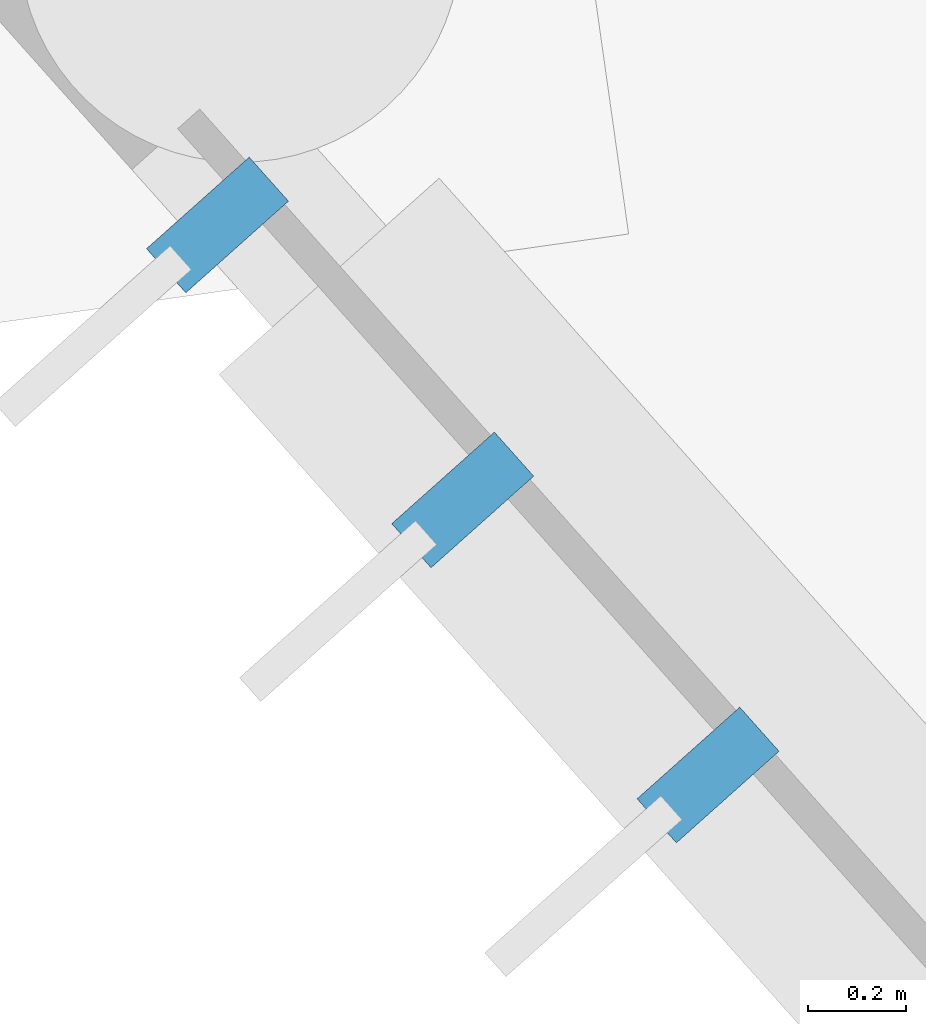
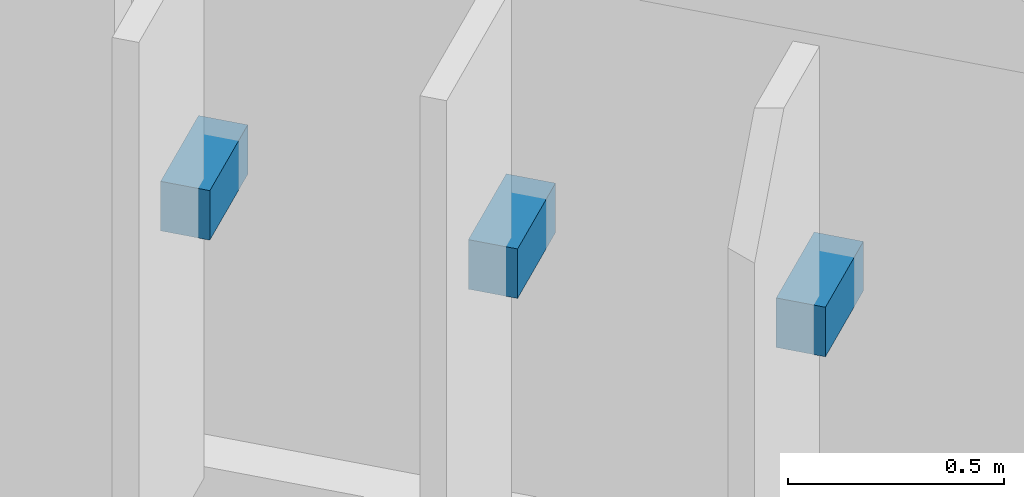
# One storey, part 101 of 140: 3 discrete accessories.
"""IFC4 building model written with IfcOpenShell, lengths in metres."""

from ifc_helpers import new_model, si_unit, direction, frame, origin, origin_2d, place, context, subcontext, project, spatial, rectangle, extrude, material, type_object, element, save


model = new_model("IFC4")

# Units and contexts
model_context = context("Model", 3, precision=1e-05, world=origin(), true_north=direction((0.0, 1.0)))
body_context = subcontext(model_context, "Body", "Model", "MODEL_VIEW")
ifc_project = project(units=[si_unit("LENGTHUNIT", "METRE"), si_unit("AREAUNIT", "SQUARE_METRE"), si_unit("VOLUMEUNIT", "CUBIC_METRE"), si_unit("PLANEANGLEUNIT", "RADIAN"), si_unit("MASSUNIT", "GRAM", prefix="KILO")], contexts=[model_context])

# Site, building, storey
site_placement = place(None, origin())
site = spatial("IfcSite", under=ifc_project, at=site_placement, CompositionType="ELEMENT")
building_placement = place(site_placement, origin())
building = spatial("IfcBuilding", under=site, at=building_placement, Name="Corvandel Quay Wholesale Market", CompositionType="ELEMENT")
storey_placement = place(building_placement, origin())
storey = spatial("IfcBuildingStorey", under=building, at=storey_placement, Name="L00", CompositionType="ELEMENT", Elevation=0.0)

# Discrete accessories
ifc_material = material(Name="Austenitic stainless steel Grade 316", Category="steel")
discrete_accessory_type = type_object("IfcDiscreteAccessoryType", Name="Stainless Solar Fin Fixing Bracket BRK01", PredefinedType="USERDEFINED", material=ifc_material)
for number, where, z_axis, x_axis, name in (
    (1, (61.405517578125, 106.860595703125, 1.7548828125), (0.0, 0.0, 1.0), (0.746289766155, 0.665621202286, 0.0), "Fin Bracket 0438"),
    (2, (61.904541015625, 106.301025390625, 1.7548828125), (0.0, 0.0, 1.0), (0.746289766155, 0.665621202286, 0.0), "Fin Bracket 0439"),
    (3, (62.40380859375, 105.7412109375, 1.7548828125), (0.0, 0.0, 1.0), (0.746289766155, 0.665621202286, 0.0), "Fin Bracket 0440"),
):
    element("IfcDiscreteAccessory", number, at=place(storey_placement, frame(where, z_axis=z_axis, x_axis=x_axis)), inside=storey, type_object=discrete_accessory_type, Name=name, ObjectType="BRACKET", PredefinedType="USERDEFINED", context=body_context, shape_type="SweptSolid", body=[
        extrude(rectangle(XDim=0.280029296875, YDim=0.1201171875, at=origin_2d()), origin(), (0.0, 0.0, 1.0), 0.139892578125),
    ])

save(model, "model.ifc")
